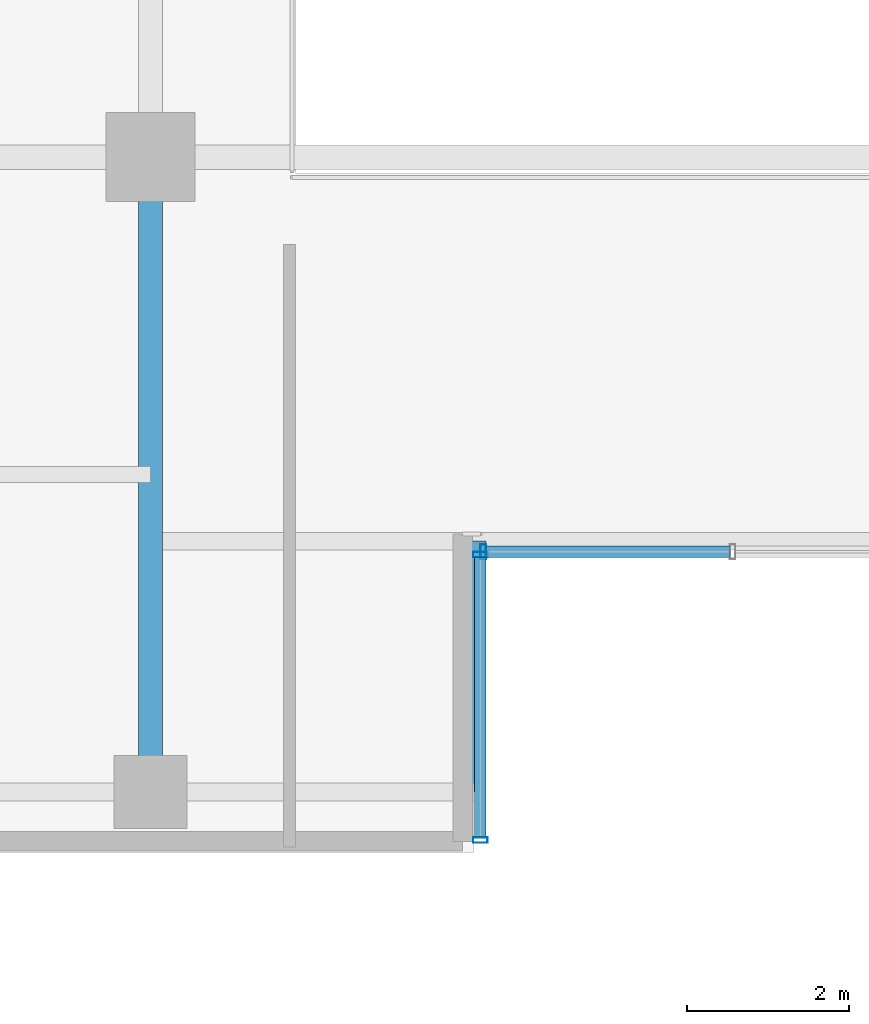
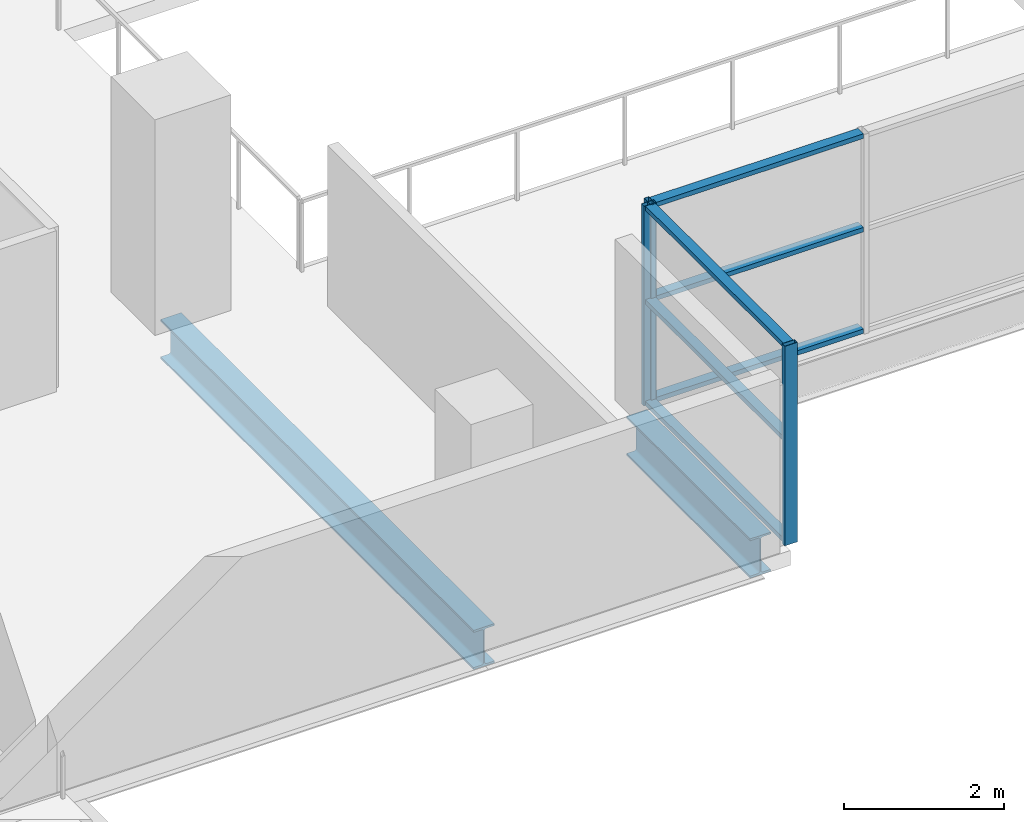
# One storey, part 6 of 29: 9 members, 2 beams, 2 elements without a shape of their own.
"""IFC4 building model written with IfcOpenShell, lengths in metres."""

from ifc_helpers import new_model, si_unit, direction, frame, origin, origin_2d, place, context, subcontext, project, spatial, hollow_rectangle, i_section, extrude, source, transform, mapped, material, layer, layer_set, material_profile, profile_set, type_object, element, aggregate, save


model = new_model("IFC4")

# Units and contexts
model_context = context("Model", 3, precision=1e-05, world=origin(), true_north=direction((0.0, 1.0)))
body_context = subcontext(model_context, "Body", "Model", "MODEL_VIEW")
ifc_project = project(units=[si_unit("LENGTHUNIT", "METRE"), si_unit("AREAUNIT", "SQUARE_METRE"), si_unit("VOLUMEUNIT", "CUBIC_METRE"), si_unit("PLANEANGLEUNIT", "RADIAN"), si_unit("MASSUNIT", "GRAM", prefix="KILO")], contexts=[model_context])

# Site, building, storey
site_placement = place(None, origin())
site = spatial("IfcSite", under=ifc_project, at=site_placement, CompositionType="ELEMENT")
building_placement = place(site_placement, origin())
building = spatial("IfcBuilding", under=site, at=building_placement, Name="Zarnakvel Exchange Tower", CompositionType="ELEMENT")
storey_placement = place(building_placement, frame((0.0, 0.0, 37.300048828125)))
storey = spatial("IfcBuildingStorey", under=building, at=storey_placement, Name="L09", CompositionType="ELEMENT", Elevation=37.300048828125)

# Beams
ifc_material_1 = material(Name="Steel S355", Category="steel")
ifc_material_profile_1 = material_profile(ifc_material_1, i_section(OverallWidth=0.300048828125, OverallDepth=0.60009765625, WebThickness=0.015380859375, FlangeThickness=0.030029296875, FilletRadius=0.027099609375, at=origin_2d()))
ifc_profile_set_1 = profile_set([ifc_material_profile_1], Name="Steel S355")
beam_type = type_object("IfcBeamType", Name="G-04", PredefinedType="BEAM", material=ifc_profile_set_1)
beam_1_placement = place(storey_placement, frame((-3.199951171875, -17.449951171875, -0.525146484375), z_axis=(0.0, 1.0, 0.0), x_axis=(-1.0, 0.0, 0.0)))
element("IfcBeam", 1, at=beam_1_placement, inside=storey, type_object=beam_type, Name="L09 South Slot West Cheek Beam", PredefinedType="BEAM", context=body_context, shape_type="SweptSolid", body=[
    extrude(i_section(OverallWidth=0.300048828125, OverallDepth=0.60009765625, WebThickness=0.015380859375, FlangeThickness=0.030029296875, FilletRadius=0.027099609375, at=origin_2d()), origin(), (0.0, 0.0, 1.0), 3.099853515625),
])
beam_2_placement = place(storey_placement, frame((-7.199951171875, -17.449951171875, -0.525146484375), z_axis=(0.0, 1.0, 0.0), x_axis=(-1.0, 0.0, 0.0)))
element("IfcBeam", 2, at=beam_2_placement, inside=storey, type_object=beam_type, Name="L09 Tower N-S Frame Beam", PredefinedType="BEAM", context=body_context, shape_type="SweptSolid", body=[
    extrude(i_section(OverallWidth=0.300048828125, OverallDepth=0.60009765625, WebThickness=0.015380859375, FlangeThickness=0.030029296875, FilletRadius=0.027099609375, at=origin_2d()), origin(), (0.0, 0.0, 1.0), 7.849853515625),
])

# Curtain wall, members
ifc_material_2 = material(Name="Architectural Bronze Anodised Aluminium", Category="aluminium")
ifc_layer = layer(ifc_material_2, 0.179931640625)
ifc_layer_set = layer_set([ifc_layer], Name="Architectural Bronze Anodised Aluminium")
curtain_wall_type = type_object("IfcCurtainWallType", Name="CW-05", PredefinedType="NOTDEFINED", material=ifc_layer_set)
curtain_wall_1_placement = place(storey_placement, origin())
curtain_wall_1 = element("IfcCurtainWall", 3, at=curtain_wall_1_placement, inside=storey, type_object=curtain_wall_type, Name="L09 Curtain Wall CW-L09-SLW (CW-05)", PredefinedType="NOTDEFINED")
ifc_material_profile_2 = material_profile(ifc_material_2, hollow_rectangle(XDim=0.139892578125, YDim=0.070068359375, WallThickness=0.00390625, at=origin_2d()))
ifc_profile_set_2 = profile_set([ifc_material_profile_2], Name="Architectural Bronze Anodised Aluminium")
member_type_1 = type_object("IfcMemberType", Name="CWT-05", PredefinedType="USERDEFINED", material=ifc_profile_set_2)
shared_shape_1 = source(origin(), body_context, "Body", "SweptSolid", [
    extrude(hollow_rectangle(XDim=0.139892578125, YDim=0.070068359375, WallThickness=0.00390625, at=origin_2d()), origin(), (0.0, 0.0, 1.0), 3.4599609375),
])
member_1_placement = place(storey_placement, frame((-3.1201171875, -18.010009765625, 0.034912109375), z_axis=(0.0, 1.0, 0.0), x_axis=(-1.0, 0.0, 0.0)))
member_1 = element("IfcMember", 4, at=member_1_placement, type_object=member_type_1, Name="CW-05 transom 1.1", ObjectType="TRANSOM", PredefinedType="USERDEFINED", context=body_context, shape_type="MappedRepresentation", body=[
    mapped(shared_shape_1, transform((0.0, 0.0, 0.0), x_axis=(1.0, 0.0, 0.0), y_axis=(0.0, 1.0, 0.0), z_axis=(0.0, 0.0, 1.0), scale=1.0)),
])
member_2_placement = place(storey_placement, frame((-3.1201171875, -18.010009765625, 1.588623046875), z_axis=(0.0, 1.0, 0.0), x_axis=(-1.0, 0.0, 0.0)))
member_2 = element("IfcMember", 5, at=member_2_placement, type_object=member_type_1, Name="CW-05 transom 1.2", ObjectType="TRANSOM", PredefinedType="USERDEFINED", context=body_context, shape_type="MappedRepresentation", body=[
    mapped(shared_shape_1, transform((0.0, 0.0, 0.0), x_axis=(1.0, 0.0, 0.0), y_axis=(0.0, 1.0, 0.0), z_axis=(0.0, 0.0, 1.0), scale=1.0)),
])
member_3_placement = place(storey_placement, frame((-3.1201171875, -18.010009765625, 3.02001953125), z_axis=(0.0, 1.0, 0.0), x_axis=(-1.0, 0.0, 0.0)))
member_3 = element("IfcMember", 6, at=member_3_placement, type_object=member_type_1, Name="CW-05 transom 1.3", ObjectType="TRANSOM", PredefinedType="USERDEFINED", context=body_context, shape_type="MappedRepresentation", body=[
    mapped(shared_shape_1, transform((0.0, 0.0, 0.0), x_axis=(1.0, 0.0, 0.0), y_axis=(0.0, 1.0, 0.0), z_axis=(0.0, 0.0, 1.0), scale=1.0)),
])

curtain_wall_2_placement = place(storey_placement, origin())
curtain_wall_2 = element("IfcCurtainWall", 7, at=curtain_wall_2_placement, inside=storey, type_object=curtain_wall_type, Name="L09 Curtain Wall CW-L09-SLB (CW-05)", PredefinedType="NOTDEFINED")
shared_shape_2 = source(origin(), body_context, "Body", "SweptSolid", [
    extrude(hollow_rectangle(XDim=0.139892578125, YDim=0.070068359375, WallThickness=0.00390625, at=origin_2d()), origin(), (0.0, 0.0, 1.0), 3.01513671875),
])
member_4_placement = place(storey_placement, frame((-3.050048828125, -14.47998046875, 0.034912109375), z_axis=(1.0, 0.0, 0.0), x_axis=(0.0, 1.0, 0.0)))
member_4 = element("IfcMember", 8, at=member_4_placement, type_object=member_type_1, Name="CW-05 transom 1.1", ObjectType="TRANSOM", PredefinedType="USERDEFINED", context=body_context, shape_type="MappedRepresentation", body=[
    mapped(shared_shape_2, transform((0.0, 0.0, 0.0), x_axis=(1.0, 0.0, 0.0), y_axis=(0.0, 1.0, 0.0), z_axis=(0.0, 0.0, 1.0), scale=1.0)),
])
member_5_placement = place(storey_placement, frame((-3.050048828125, -14.47998046875, 1.588623046875), z_axis=(1.0, 0.0, 0.0), x_axis=(0.0, 1.0, 0.0)))
member_5 = element("IfcMember", 9, at=member_5_placement, type_object=member_type_1, Name="CW-05 transom 1.2", ObjectType="TRANSOM", PredefinedType="USERDEFINED", context=body_context, shape_type="MappedRepresentation", body=[
    mapped(shared_shape_2, transform((0.0, 0.0, 0.0), x_axis=(1.0, 0.0, 0.0), y_axis=(0.0, 1.0, 0.0), z_axis=(0.0, 0.0, 1.0), scale=1.0)),
])
member_6_placement = place(storey_placement, frame((-3.050048828125, -14.47998046875, 3.02001953125), z_axis=(1.0, 0.0, 0.0), x_axis=(0.0, 1.0, 0.0)))
member_6 = element("IfcMember", 10, at=member_6_placement, type_object=member_type_1, Name="CW-05 transom 1.3", ObjectType="TRANSOM", PredefinedType="USERDEFINED", context=body_context, shape_type="MappedRepresentation", body=[
    mapped(shared_shape_2, transform((0.0, 0.0, 0.0), x_axis=(1.0, 0.0, 0.0), y_axis=(0.0, 1.0, 0.0), z_axis=(0.0, 0.0, 1.0), scale=1.0)),
])

# Member
ifc_material_profile_3 = material_profile(ifc_material_2, hollow_rectangle(XDim=0.179931640625, YDim=0.070068359375, WallThickness=0.00390625, at=origin_2d()))
ifc_profile_set_3 = profile_set([ifc_material_profile_3], Name="Architectural Bronze Anodised Aluminium")
member_type_2 = type_object("IfcMemberType", Name="CWM-05", PredefinedType="MULLION", material=ifc_profile_set_3)
shared_shape_3 = source(origin(), body_context, "Body", "SweptSolid", [
    extrude(hollow_rectangle(XDim=0.179931640625, YDim=0.070068359375, WallThickness=0.00390625, at=origin_2d()), origin(), (0.0, 0.0, 1.0), 3.054931640625),
])
member_7_placement = place(storey_placement, frame((-3.1201171875, -18.044921875, 0.0), z_axis=(0.0, 0.0, 1.0), x_axis=(-1.0, 0.0, 0.0)))
member_7 = element("IfcMember", 11, at=member_7_placement, type_object=member_type_2, Name="CW-05 mullion 1", PredefinedType="MULLION", context=body_context, shape_type="MappedRepresentation", body=[
    mapped(shared_shape_3, transform((0.0, 0.0, 0.0), x_axis=(1.0, 0.0, 0.0), y_axis=(0.0, 1.0, 0.0), z_axis=(0.0, 0.0, 1.0), scale=1.0)),
])

member_8_placement = place(storey_placement, frame((-3.1201171875, -14.514892578125, 0.0), z_axis=(0.0, 0.0, 1.0), x_axis=(-1.0, 0.0, 0.0)))
member_8 = element("IfcMember", 12, at=member_8_placement, type_object=member_type_2, Name="CW-05 mullion 2", PredefinedType="MULLION", context=body_context, shape_type="MappedRepresentation", body=[
    mapped(shared_shape_3, transform((0.0, 0.0, 0.0), x_axis=(1.0, 0.0, 0.0), y_axis=(0.0, 1.0, 0.0), z_axis=(0.0, 0.0, 1.0), scale=1.0)),
])

aggregate(curtain_wall_1, [member_7, member_8, member_1, member_2, member_3])

member_9_placement = place(storey_placement, frame((-3.0849609375, -14.47998046875, 0.0), z_axis=(0.0, 0.0, 1.0), x_axis=(0.0, 1.0, 0.0)))
member_9 = element("IfcMember", 13, at=member_9_placement, type_object=member_type_2, Name="CW-05 mullion 1", PredefinedType="MULLION", context=body_context, shape_type="MappedRepresentation", body=[
    mapped(shared_shape_3, transform((0.0, 0.0, 0.0), x_axis=(1.0, 0.0, 0.0), y_axis=(0.0, 1.0, 0.0), z_axis=(0.0, 0.0, 1.0), scale=1.0)),
])

aggregate(curtain_wall_2, [member_9, member_4, member_5, member_6])

save(model, "model.ifc")
